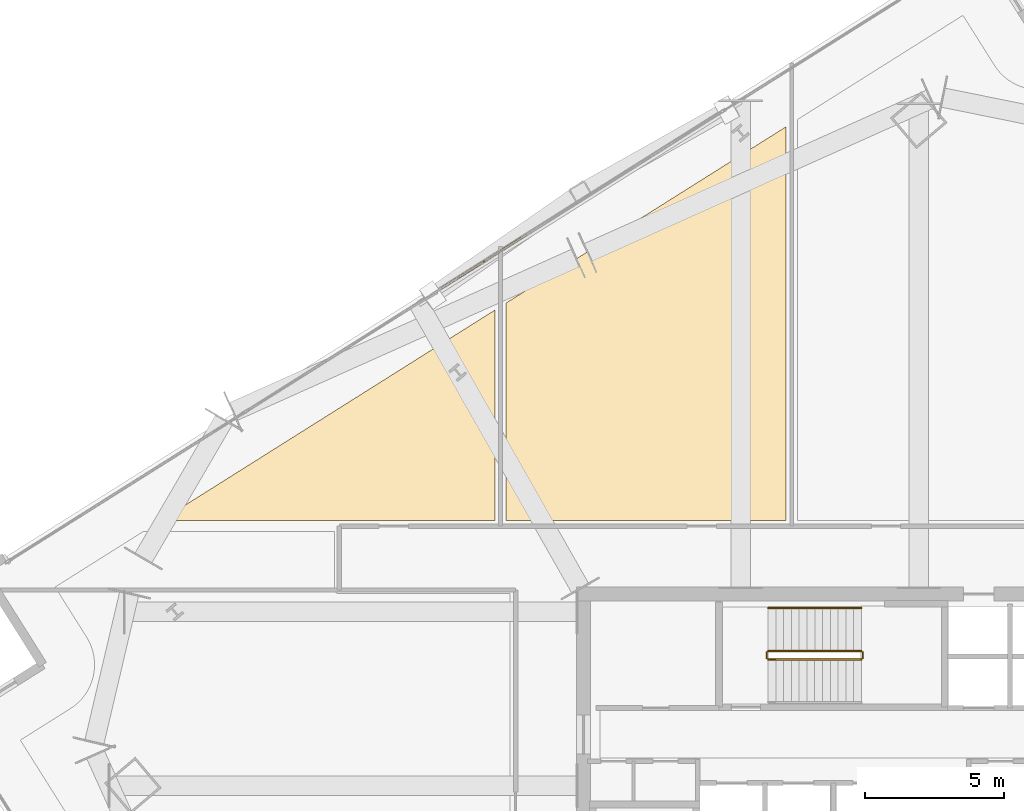
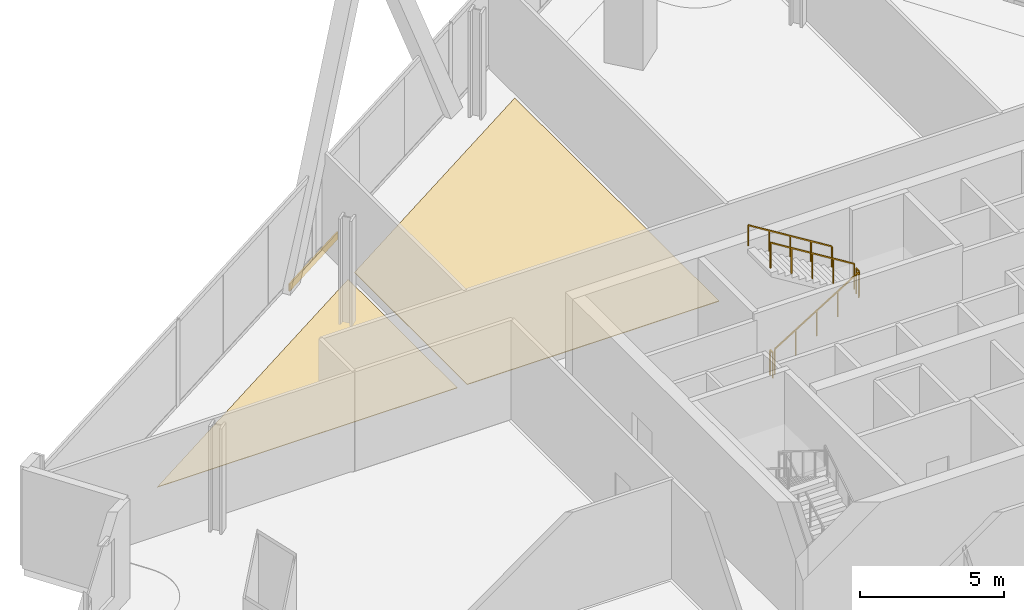
# One storey, part 28 of 29: 5 railings, 3 coverings.
"""IFC4 building model written with IfcOpenShell, lengths in metres."""

from ifc_helpers import new_model, si_unit, direction, frame, origin, origin_2d, place, context, subcontext, project, spatial, polyline, rectangle, outline, extrude, source, transform, mapped, material, layer, layer_set, type_object, element, save


model = new_model("IFC4")

# Units and contexts
model_context = context("Model", 3, precision=1e-05, world=origin(), true_north=direction((0.0, 1.0)))
body_context = subcontext(model_context, "Body", "Model", "MODEL_VIEW")
ifc_project = project(units=[si_unit("LENGTHUNIT", "METRE"), si_unit("AREAUNIT", "SQUARE_METRE"), si_unit("VOLUMEUNIT", "CUBIC_METRE"), si_unit("PLANEANGLEUNIT", "RADIAN"), si_unit("MASSUNIT", "GRAM", prefix="KILO")], contexts=[model_context])

# Site, building, storey
site_placement = place(None, origin())
site = spatial("IfcSite", under=ifc_project, at=site_placement, CompositionType="ELEMENT")
building_placement = place(site_placement, origin())
building = spatial("IfcBuilding", under=site, at=building_placement, Name="Haldenkirk Collegiate Tower", CompositionType="ELEMENT")
storey_placement = place(building_placement, frame((0.0, 0.0, 136.199951171875)))
storey = spatial("IfcBuildingStorey", under=building, at=storey_placement, Name="L33", CompositionType="ELEMENT", Elevation=136.199951171875)

# Coverings
ifc_material_1 = material(Name="Polished collegiate terrazzo", Category="concrete")
ifc_layer_1 = layer(ifc_material_1, 0.02490234375)
ifc_layer_set_1 = layer_set([ifc_layer_1], Name="Polished collegiate terrazzo")
covering_type_1 = type_object("IfcCoveringType", Name="COV-FLOOR-TERRAZZO", PredefinedType="FLOORING", material=ifc_layer_set_1)
covering_1_placement = place(storey_placement, origin())
element("IfcCovering", 1, at=covering_1_placement, inside=storey, type_object=covering_type_1, Name="L33 academic room finish 04", PredefinedType="FLOORING", context=body_context, shape_type="SweptSolid", body=[
    extrude(outline(polyline([(34.300048828125, 50.845458984375), (34.300048828125, 36.64990234375), (24.199951171875, 36.64990234375), (24.199951171875, 44.4853515625), (34.300048828125, 50.845458984375)])), origin(), (0.0, 0.0, 1.0), 0.025146484375),
])
ifc_material_2 = material(Name="Engineered collegiate oak acoustic flooring", Category="wood")
ifc_layer_2 = layer(ifc_material_2, 0.02197265625)
ifc_layer_set_2 = layer_set([ifc_layer_2], Name="Engineered collegiate oak acoustic flooring")
covering_type_2 = type_object("IfcCoveringType", Name="COV-FLOOR-TIMBER", PredefinedType="FLOORING", material=ifc_layer_set_2)
covering_2_placement = place(storey_placement, origin())
element("IfcCovering", 2, at=covering_2_placement, inside=storey, type_object=covering_type_2, Name="L33 academic room finish 03", PredefinedType="FLOORING", context=body_context, shape_type="SweptSolid", body=[
    extrude(outline(polyline([(23.800048828125, 44.2333984375), (23.800048828125, 36.64990234375), (11.7578125, 36.64990234375), (23.800048828125, 44.2333984375)])), origin(), (0.0, 0.0, 1.0), 0.02197265625),
])

# Railings
ifc_material_3 = material(Name="Painted architectural tubular steel", Category="steel")
railing_type_1 = type_object("IfcRailingType", Name="RLG-STAIR-GUARD-1100", PredefinedType="BALUSTRADE", material=ifc_material_3)
railing_1_placement = place(storey_placement, frame((33.64990234375, 31.64990234375, 0.173095703125)))
element("IfcRailing", 3, at=railing_1_placement, inside=storey, type_object=railing_type_1, Name="L33 ST-3 stair guard 1", PredefinedType="BALUSTRADE", context=body_context, shape_type="SweptSolid", body=[
    extrude(rectangle(XDim=0.048095703125, YDim=0.048095703125, at=origin_2d()), frame((0.0, 0.0, 1.076171875), z_axis=(0.850623216509, 0.0, 0.525775754039), x_axis=(0.0, 1.0, 0.0)), (0.0, 0.0, 1.0), 3.9501953125),
    extrude(rectangle(XDim=0.0419921875, YDim=0.0419921875, at=origin_2d()), origin(), (0.0, 0.0, 1.0), 1.052001953125),
    extrude(rectangle(XDim=0.0419921875, YDim=0.0419921875, at=origin_2d()), frame((0.840087890625, 0.0, 0.519287109375)), (0.0, 0.0, 1.0), 1.052001953125),
    extrude(rectangle(XDim=0.0419921875, YDim=0.0419921875, at=origin_2d()), frame((1.68017578125, 0.0, 1.03857421875)), (0.0, 0.0, 1.0), 1.052001953125),
    extrude(rectangle(XDim=0.0419921875, YDim=0.0419921875, at=origin_2d()), frame((2.52001953125, 0.0, 1.5576171875)), (0.0, 0.0, 1.0), 1.052001953125),
    extrude(rectangle(XDim=0.0419921875, YDim=0.0419921875, at=origin_2d()), frame((3.360107421875, 0.0, 2.076904296875)), (0.0, 0.0, 1.0), 1.052001953125),
])
railing_2_placement = place(storey_placement, frame((37.06005859375, 31.699951171875, 2.25)))
element("IfcRailing", 4, at=railing_2_placement, inside=storey, type_object=railing_type_1, Name="L33 ST-3 stair guard 2", PredefinedType="BALUSTRADE", context=body_context, shape_type="SweptSolid", body=[
    extrude(rectangle(XDim=0.048095703125, YDim=0.048095703125, at=origin_2d()), frame((0.0, 0.0, 1.076171875), z_axis=(0.0, 1.0, 0.0), x_axis=(-1.0, 0.0, 0.0)), (0.0, 0.0, 1.0), 0.199951171875),
    extrude(rectangle(XDim=0.0419921875, YDim=0.0419921875, at=origin_2d()), origin(), (0.0, 0.0, 1.0), 1.052001953125),
    extrude(rectangle(XDim=0.0419921875, YDim=0.0419921875, at=origin_2d()), frame((0.0, 0.199951171875, 0.0)), (0.0, 0.0, 1.0), 1.052001953125),
])
railing_3_placement = place(storey_placement, frame((37.010009765625, 31.949951171875, 2.423095703125)))
element("IfcRailing", 5, at=railing_3_placement, inside=storey, type_object=railing_type_1, Name="L33 ST-3 stair guard 3", PredefinedType="BALUSTRADE", context=body_context, shape_type="SweptSolid", body=[
    extrude(rectangle(XDim=0.048095703125, YDim=0.048095703125, at=origin_2d()), frame((0.0, 0.0, 1.076171875), z_axis=(-0.850623216509, 0.0, 0.525775754039), x_axis=(0.0, -1.0, 0.0)), (0.0, 0.0, 1.0), 3.9501953125),
    extrude(rectangle(XDim=0.0419921875, YDim=0.0419921875, at=origin_2d()), origin(), (0.0, 0.0, 1.0), 1.052001953125),
    extrude(rectangle(XDim=0.0419921875, YDim=0.0419921875, at=origin_2d()), frame((-0.840087890625, 0.0, 0.519287109375)), (0.0, 0.0, 1.0), 1.052001953125),
    extrude(rectangle(XDim=0.0419921875, YDim=0.0419921875, at=origin_2d()), frame((-1.68017578125, 0.0, 1.03857421875)), (0.0, 0.0, 1.0), 1.052001953125),
    extrude(rectangle(XDim=0.0419921875, YDim=0.0419921875, at=origin_2d()), frame((-2.52001953125, 0.0, 1.5576171875)), (0.0, 0.0, 1.0), 1.052001953125),
    extrude(rectangle(XDim=0.0419921875, YDim=0.0419921875, at=origin_2d()), frame((-3.360107421875, 0.0, 2.076904296875)), (0.0, 0.0, 1.0), 1.052001953125),
])
railing_4_placement = place(storey_placement, frame((33.60009765625, 31.699951171875, 0.0)))
element("IfcRailing", 6, at=railing_4_placement, inside=storey, type_object=railing_type_1, Name="L33 ST-3 stair guard 4", PredefinedType="BALUSTRADE", context=body_context, shape_type="SweptSolid", body=[
    extrude(rectangle(XDim=0.048095703125, YDim=0.048095703125, at=origin_2d()), frame((0.0, 0.0, 1.076171875), z_axis=(0.0, 1.0, 0.0), x_axis=(-1.0, 0.0, 0.0)), (0.0, 0.0, 1.0), 0.199951171875),
    extrude(rectangle(XDim=0.0419921875, YDim=0.0419921875, at=origin_2d()), origin(), (0.0, 0.0, 1.0), 1.052001953125),
    extrude(rectangle(XDim=0.0419921875, YDim=0.0419921875, at=origin_2d()), frame((0.0, 0.199951171875, 0.0)), (0.0, 0.0, 1.0), 1.052001953125),
])
railing_type_2 = type_object("IfcRailingType", Name="RLG-STAIR-HANDRAIL-900", PredefinedType="HANDRAIL", material=ifc_material_3)
railing_5_placement = place(storey_placement, frame((37.010009765625, 33.5, 2.423095703125)))
element("IfcRailing", 7, at=railing_5_placement, inside=storey, type_object=railing_type_2, Name="L33 ST-3 stair handrail 2", PredefinedType="HANDRAIL", context=body_context, shape_type="SweptSolid", body=[
    extrude(rectangle(XDim=0.048095703125, YDim=0.048095703125, at=origin_2d()), frame((0.0, 0.0, 0.8759765625), z_axis=(-0.850623216509, 0.0, 0.525775754039), x_axis=(0.0, -1.0, 0.0)), (0.0, 0.0, 1.0), 3.9501953125),
    extrude(rectangle(XDim=0.0419921875, YDim=0.0419921875, at=origin_2d()), origin(), (0.0, 0.0, 1.0), 0.851806640625),
    extrude(rectangle(XDim=0.0419921875, YDim=0.0419921875, at=origin_2d()), frame((-0.840087890625, 0.0, 0.519287109375)), (0.0, 0.0, 1.0), 0.851806640625),
    extrude(rectangle(XDim=0.0419921875, YDim=0.0419921875, at=origin_2d()), frame((-1.68017578125, 0.0, 1.03857421875)), (0.0, 0.0, 1.0), 0.851806640625),
    extrude(rectangle(XDim=0.0419921875, YDim=0.0419921875, at=origin_2d()), frame((-2.52001953125, 0.0, 1.5576171875)), (0.0, 0.0, 1.0), 0.851806640625),
    extrude(rectangle(XDim=0.0419921875, YDim=0.0419921875, at=origin_2d()), frame((-3.360107421875, 0.0, 2.076904296875)), (0.0, 0.0, 1.0), 0.851806640625),
])

# Covering
ifc_material_4 = material(Name="Anodised architectural bronze aluminium", Category="aluminium")
ifc_layer_3 = layer(ifc_material_4, 0.06005859375)
ifc_layer_set_3 = layer_set([ifc_layer_3], Name="Anodised architectural bronze aluminium")
covering_type_3 = type_object("IfcCoveringType", Name="COV-CLAD-BRONZE-60", PredefinedType="CLADDING", material=ifc_layer_set_3)
shared_shape = source(origin(), body_context, "Body", "SweptSolid", [
    extrude(rectangle(XDim=3.60009765625, YDim=0.06005859375, at=origin_2d()), origin(), (0.0, 0.0, 1.0), 0.300048828125),
])
covering_3_placement = place(storey_placement, frame((23.413330078125, 45.987060546875, -0.2998046875), z_axis=(0.0, 0.0, 1.0), x_axis=(0.846193166128, 0.532876276071, 0.0)))
element("IfcCovering", 8, at=covering_3_placement, inside=storey, type_object=covering_type_3, Name="L33 architectural bronze spandrel cladding N", PredefinedType="CLADDING", context=body_context, shape_type="MappedRepresentation", body=[
    mapped(shared_shape, transform((0.0, 0.0, 0.0), x_axis=(1.0, 0.0, 0.0), y_axis=(0.0, 1.0, 0.0), z_axis=(0.0, 0.0, 1.0), scale=1.0)),
])

save(model, "model.ifc")
